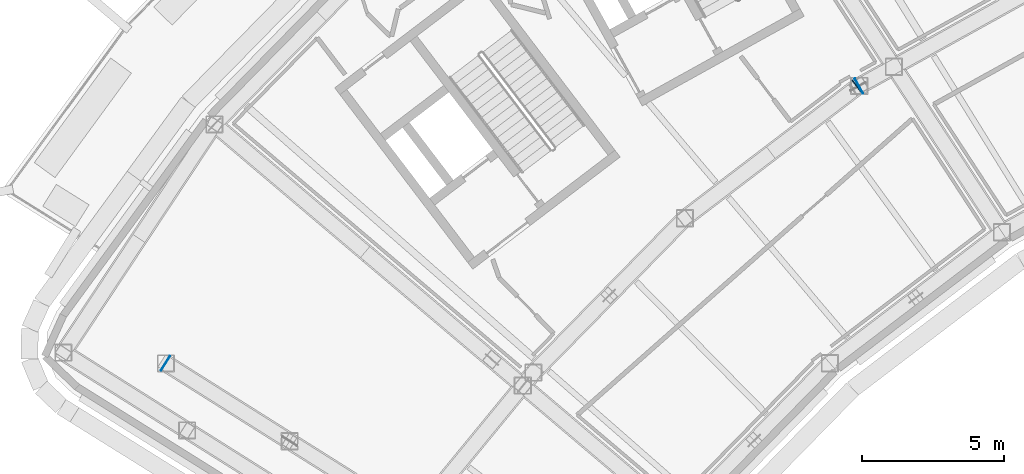
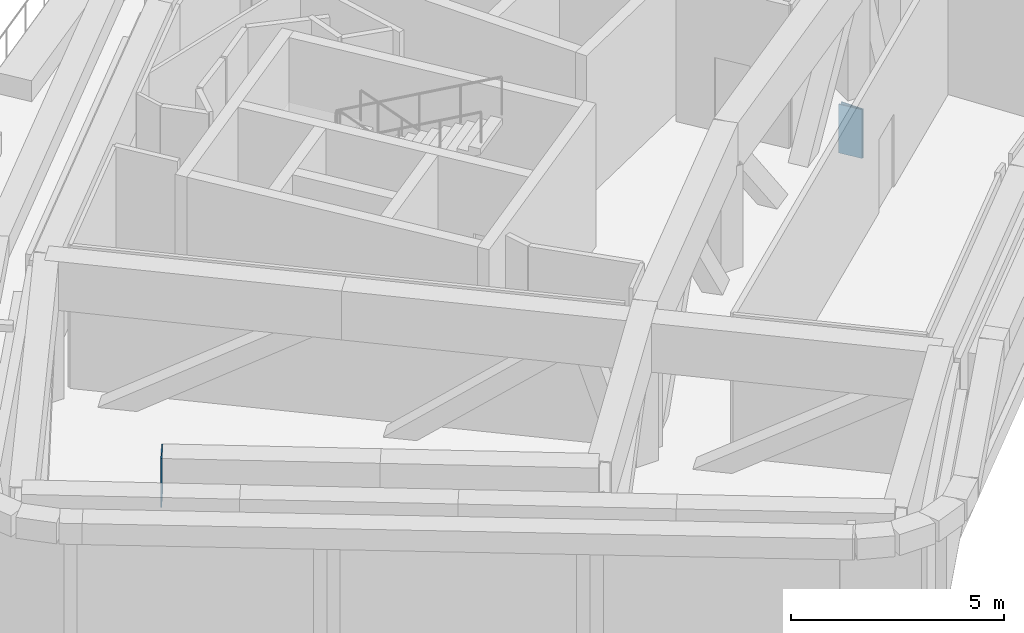
# One storey, part 13 of 24: 3 discrete accessories.
"""IFC4 building model written with IfcOpenShell, lengths in metres."""

from ifc_helpers import new_model, si_unit, direction, frame, origin, origin_2d, place, context, subcontext, project, spatial, rectangle, extrude, material, type_object, element, save


model = new_model("IFC4")

# Units and contexts
model_context = context("Model", 3, precision=1e-05, world=origin(), true_north=direction((0.0, 1.0)))
body_context = subcontext(model_context, "Body", "Model", "MODEL_VIEW")
ifc_project = project(units=[si_unit("LENGTHUNIT", "METRE"), si_unit("AREAUNIT", "SQUARE_METRE"), si_unit("VOLUMEUNIT", "CUBIC_METRE"), si_unit("PLANEANGLEUNIT", "RADIAN"), si_unit("MASSUNIT", "GRAM", prefix="KILO")], contexts=[model_context])

# Site, building, storey
site_placement = place(None, origin())
site = spatial("IfcSite", under=ifc_project, at=site_placement, CompositionType="ELEMENT")
building_placement = place(site_placement, origin())
building = spatial("IfcBuilding", under=site, at=building_placement, Name="Tuul Gate Civic Tower", CompositionType="ELEMENT")
storey_placement = place(building_placement, frame((0.0, 0.0, 243.89990234375)))
storey = spatial("IfcBuildingStorey", under=building, at=storey_placement, Name="Plant and refuge floor 6", CompositionType="ELEMENT", Elevation=243.89990234375)

# Discrete accessories
ifc_material = material(Name="Steel S355", Category="steel")
discrete_accessory_type = type_object("IfcDiscreteAccessoryType", Name="End cap plate", PredefinedType="BRACKET", material=ifc_material)
for number, where, z_axis, x_axis, name in (
    (1, (-22.7177734375, -11.300537109375, -1.7998046875), (0.0, 0.0, 1.0), (0.874598044765, 0.484848698146, 0.0), "End cap plate"),
    (2, (-22.775146484375, -11.329833984375, -1.7998046875), (0.0, 0.0, 1.0), (0.795616135693, 0.605801093284, 0.0), "End cap plate"),
    (3, (-47.05859375, -21.02392578125, 2.7001953125), (0.0, 0.0, 1.0), (0.846131945012, -0.53297348117, 0.0), "End cap plate"),
):
    element("IfcDiscreteAccessory", number, at=place(storey_placement, frame(where, z_axis=z_axis, x_axis=x_axis)), inside=storey, type_object=discrete_accessory_type, Name=name, PredefinedType="BRACKET", context=body_context, shape_type="SweptSolid", body=[
        extrude(rectangle(XDim=0.030029296875, YDim=0.60009765625, at=origin_2d()), origin(), (0.0, 0.0, 1.0), 1.39990234375),
    ])

save(model, "model.ifc")
